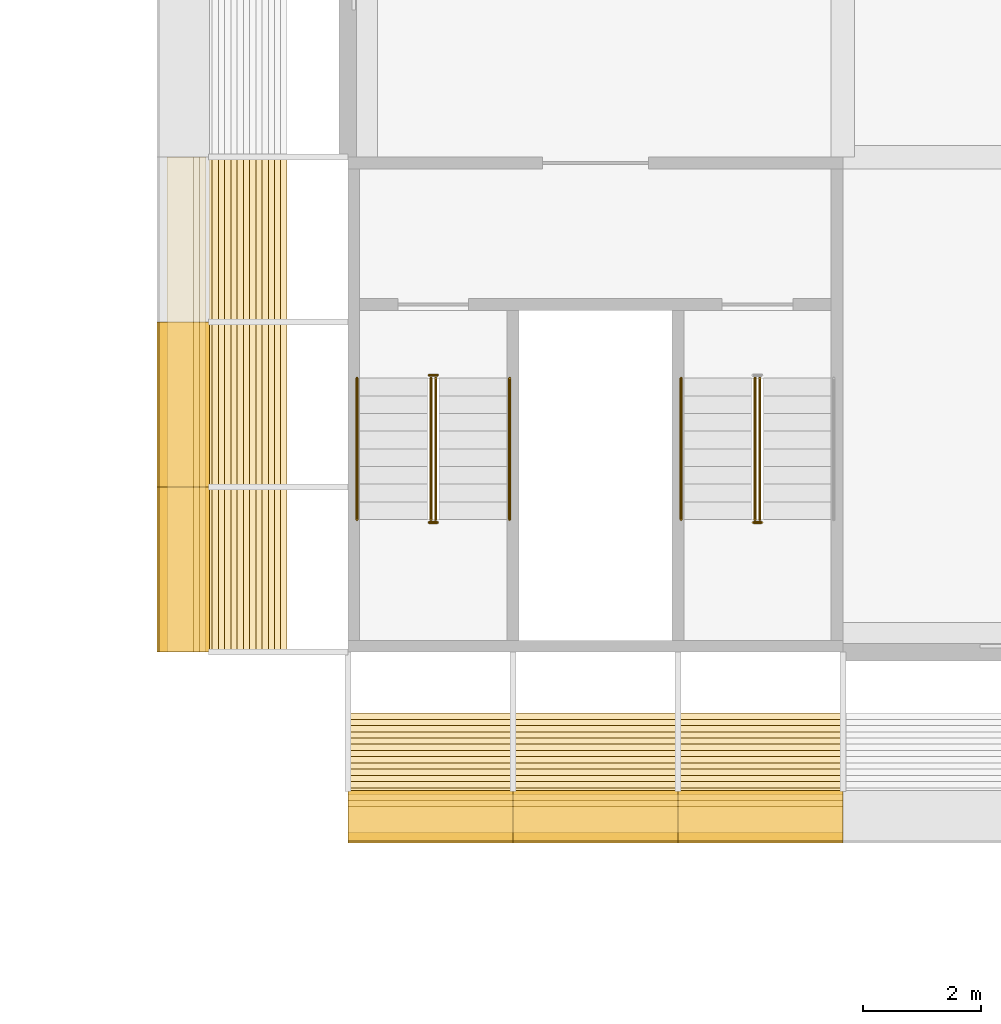
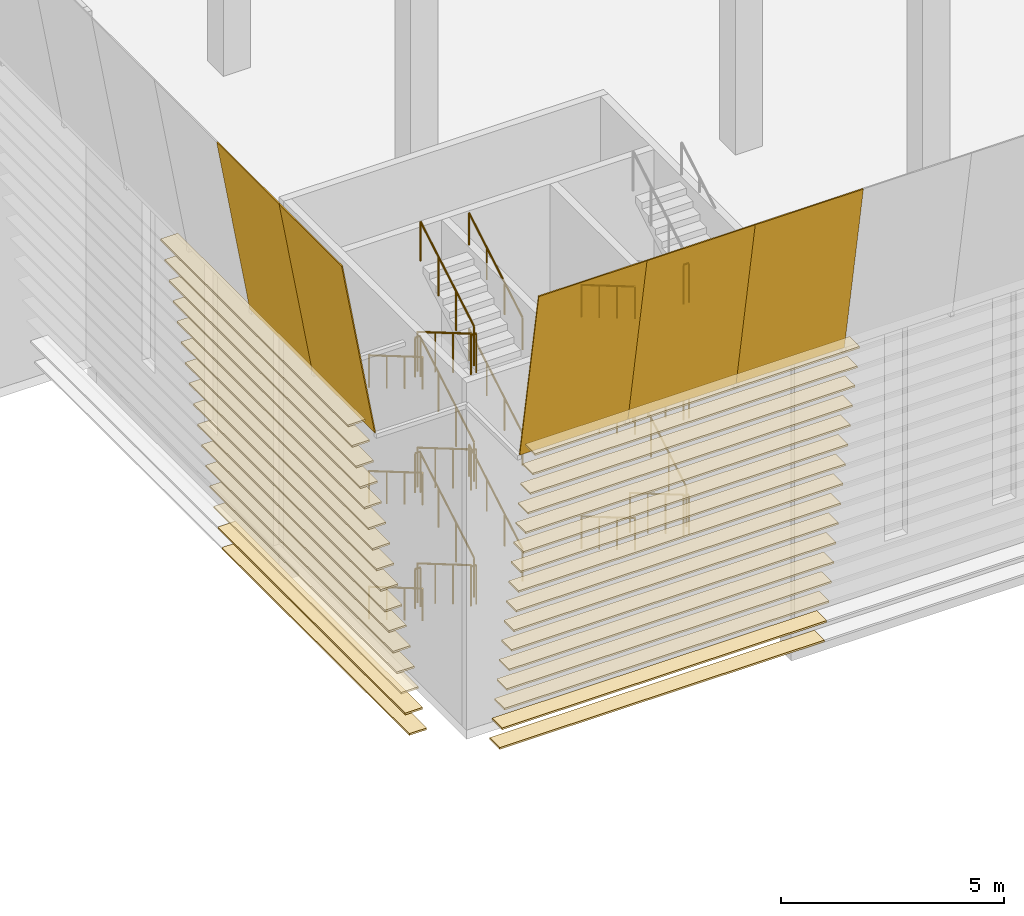
# One storey, part 92 of 114: 37 coverings, 27 railings.
"""IFC4 building model written with IfcOpenShell, lengths in metres."""

from ifc_helpers import new_model, si_unit, direction, frame, origin, origin_2d, place, context, subcontext, project, spatial, polyline, rectangle, circle, outline, extrude, material, layer, layer_set, material_profile, profile_set, type_object, element, save


model = new_model("IFC4")

# Units and contexts
model_context = context("Model", 3, precision=1e-05, world=origin(), true_north=direction((0.0, 1.0)))
body_context = subcontext(model_context, "Body", "Model", "MODEL_VIEW")
ifc_project = project(units=[si_unit("LENGTHUNIT", "METRE"), si_unit("AREAUNIT", "SQUARE_METRE"), si_unit("VOLUMEUNIT", "CUBIC_METRE"), si_unit("PLANEANGLEUNIT", "RADIAN"), si_unit("MASSUNIT", "GRAM", prefix="KILO")], contexts=[model_context])

# Site, building, storey
site_placement = place(None, origin())
site = spatial("IfcSite", under=ifc_project, at=site_placement, CompositionType="ELEMENT")
building_placement = place(site_placement, origin())
building = spatial("IfcBuilding", under=site, at=building_placement, Name="Almond Square Museum", CompositionType="ELEMENT")
storey_placement = place(building_placement, frame((0.0, 0.0, 10.5)))
storey = spatial("IfcBuildingStorey", under=building, at=storey_placement, Name="L02", CompositionType="ELEMENT", Elevation=10.5)

# Coverings
ifc_material_1 = material(Name="Cedar timber louvre board", Category="wood")
ifc_material_profile = material_profile(ifc_material_1, rectangle(XDim=0.449951171875, YDim=0.050048828125, at=origin_2d()))
ifc_profile_set = profile_set([ifc_material_profile], Name="Cedar timber louvre board")
covering_type_1 = type_object("IfcCoveringType", Name="Louvre board 450 x 50", PredefinedType="CLADDING", material=ifc_profile_set)
for number, where, z_axis, x_axis, name in (
    (1, (106.800048828125, 49.141357421875, 0.39990234375), (1.0, 0.0, 0.0), (0.0, 1.0, 0.0), "Louvre board S07.01"),
    (2, (106.800048828125, 49.03564453125, 1.0), (1.0, 0.0, 0.0), (0.0, 1.0, 0.0), "Louvre board S08.01"),
    (3, (106.800048828125, 48.9296875, 1.60009765625), (1.0, 0.0, 0.0), (0.0, 1.0, 0.0), "Louvre board S09.01"),
    (4, (106.800048828125, 48.823974609375, 2.199951171875), (1.0, 0.0, 0.0), (0.0, 1.0, 0.0), "Louvre board S10.01"),
    (5, (106.800048828125, 48.71826171875, 2.800048828125), (1.0, 0.0, 0.0), (0.0, 1.0, 0.0), "Louvre board S11.01"),
    (6, (106.800048828125, 48.6123046875, 3.39990234375), (1.0, 0.0, 0.0), (0.0, 1.0, 0.0), "Louvre board S12.01"),
    (7, (106.800048828125, 48.506591796875, 4.0), (1.0, 0.0, 0.0), (0.0, 1.0, 0.0), "Louvre board S13.01"),
    (8, (106.800048828125, 48.40087890625, 4.60009765625), (1.0, 0.0, 0.0), (0.0, 1.0, 0.0), "Louvre board S14.01"),
    (9, (106.800048828125, 48.294921875, 5.199951171875), (1.0, 0.0, 0.0), (0.0, 1.0, 0.0), "Louvre board S15.01"),
    (10, (106.800048828125, 48.189208984375, 5.800048828125), (1.0, 0.0, 0.0), (0.0, 1.0, 0.0), "Louvre board S16.01"),
    (11, (106.800048828125, 48.08349609375, 6.39990234375), (1.0, 0.0, 0.0), (0.0, 1.0, 0.0), "Louvre board S17.01"),
    (12, (106.800048828125, 47.9775390625, 7.0), (1.0, 0.0, 0.0), (0.0, 1.0, 0.0), "Louvre board S18.01"),
    (13, (106.800048828125, 47.871826171875, 7.60009765625), (1.0, 0.0, 0.0), (0.0, 1.0, 0.0), "Louvre board S19.01"),
    (14, (106.800048828125, 47.76611328125, 8.199951171875), (1.0, 0.0, 0.0), (0.0, 1.0, 0.0), "Louvre board S20.01"),
    (15, (106.800048828125, 47.66015625, 8.800048828125), (1.0, 0.0, 0.0), (0.0, 1.0, 0.0), "Louvre board S21.01"),
    (16, (106.800048828125, 47.554443359375, 9.39990234375), (1.0, 0.0, 0.0), (0.0, 1.0, 0.0), "Louvre board S22.01"),
):
    element("IfcCovering", number, at=place(storey_placement, frame(where, z_axis=z_axis, x_axis=x_axis)), inside=storey, type_object=covering_type_1, Name=name, PredefinedType="CLADDING", context=body_context, shape_type="SweptSolid", body=[
        extrude(rectangle(XDim=0.449951171875, YDim=0.050048828125, at=origin_2d()), origin(), (0.0, 0.0, 1.0), 8.39990234375),
    ])
for number, where, z_axis, x_axis, name in (
    (17, (105.54150390625, 50.39990234375, 0.39990234375), (0.0, 1.0, 0.0), (-1.0, 0.0, 0.0), "Louvre board W07.01"),
    (18, (105.435546875, 50.39990234375, 1.0), (0.0, 1.0, 0.0), (-1.0, 0.0, 0.0), "Louvre board W08.01"),
    (19, (105.329833984375, 50.39990234375, 1.60009765625), (0.0, 1.0, 0.0), (-1.0, 0.0, 0.0), "Louvre board W09.01"),
    (20, (105.223876953125, 50.39990234375, 2.199951171875), (0.0, 1.0, 0.0), (-1.0, 0.0, 0.0), "Louvre board W10.01"),
    (21, (105.1181640625, 50.39990234375, 2.800048828125), (0.0, 1.0, 0.0), (-1.0, 0.0, 0.0), "Louvre board W11.01"),
    (22, (105.012451171875, 50.39990234375, 3.39990234375), (0.0, 1.0, 0.0), (-1.0, 0.0, 0.0), "Louvre board W12.01"),
    (23, (104.906494140625, 50.39990234375, 4.0), (0.0, 1.0, 0.0), (-1.0, 0.0, 0.0), "Louvre board W13.01"),
    (24, (104.80078125, 50.39990234375, 4.60009765625), (0.0, 1.0, 0.0), (-1.0, 0.0, 0.0), "Louvre board W14.01"),
    (25, (104.695068359375, 50.39990234375, 5.199951171875), (0.0, 1.0, 0.0), (-1.0, 0.0, 0.0), "Louvre board W15.01"),
    (26, (104.589111328125, 50.39990234375, 5.800048828125), (0.0, 1.0, 0.0), (-1.0, 0.0, 0.0), "Louvre board W16.01"),
    (27, (104.4833984375, 50.39990234375, 6.39990234375), (0.0, 1.0, 0.0), (-1.0, 0.0, 0.0), "Louvre board W17.01"),
    (28, (104.377685546875, 50.39990234375, 7.0), (0.0, 1.0, 0.0), (-1.0, 0.0, 0.0), "Louvre board W18.01"),
    (29, (104.271728515625, 50.39990234375, 7.60009765625), (0.0, 1.0, 0.0), (-1.0, 0.0, 0.0), "Louvre board W19.01"),
    (30, (104.166015625, 50.39990234375, 8.199951171875), (0.0, 1.0, 0.0), (-1.0, 0.0, 0.0), "Louvre board W20.01"),
    (31, (104.060302734375, 50.39990234375, 8.800048828125), (0.0, 1.0, 0.0), (-1.0, 0.0, 0.0), "Louvre board W21.01"),
    (32, (103.954345703125, 50.39990234375, 9.39990234375), (0.0, 1.0, 0.0), (-1.0, 0.0, 0.0), "Louvre board W22.01"),
):
    element("IfcCovering", number, at=place(storey_placement, frame(where, z_axis=z_axis, x_axis=x_axis)), inside=storey, type_object=covering_type_1, Name=name, PredefinedType="CLADDING", context=body_context, shape_type="SweptSolid", body=[
        extrude(rectangle(XDim=0.449951171875, YDim=0.050048828125, at=origin_2d()), origin(), (0.0, 0.0, 1.0), 8.400146484375),
    ])
ifc_material_2 = material(Name="Cedar timber sheathing panel", Category="wood")
ifc_layer = layer(ifc_material_2, 0.030029296875)
ifc_layer_set = layer_set([ifc_layer], Name="Cedar timber sheathing panel")
covering_type_2 = type_object("IfcCoveringType", Name="Louvre rain-screen backing panel 30", PredefinedType="CLADDING", material=ifc_layer_set)
covering_1_placement = place(storey_placement, frame((106.800048828125, 48.035400390625, 8.969970703125), z_axis=(0.0, -0.984808947576, -0.173641402823), x_axis=(1.0, 0.0, 0.0)))
element("IfcCovering", 33, at=covering_1_placement, inside=storey, type_object=covering_type_2, Name="Louvre rain-screen backing panel S01.05", PredefinedType="CLADDING", context=body_context, shape_type="SweptSolid", body=[
    extrude(outline(polyline([(0.0, 0.0), (2.800048828125, 0.0), (2.800048828125, 4.935076426587713), (0.0, 4.935076426587713), (0.0, 0.0)])), frame((0.0, 0.0, -0.01513671875)), (0.0, 0.0, 1.0), 0.030029296875),
])
covering_2_placement = place(storey_placement, frame((109.60009765625, 48.035400390625, 8.969970703125), z_axis=(0.0, -0.984808947576, -0.173641402823), x_axis=(1.0, 0.0, 0.0)))
element("IfcCovering", 34, at=covering_2_placement, inside=storey, type_object=covering_type_2, Name="Louvre rain-screen backing panel S02.05", PredefinedType="CLADDING", context=body_context, shape_type="SweptSolid", body=[
    extrude(outline(polyline([(0.0, 0.0), (2.7998046875, 0.0), (2.7998046875, 4.935076426587713), (0.0, 4.935076426587713), (0.0, 0.0)])), frame((0.0, 0.0, -0.01513671875)), (0.0, 0.0, 1.0), 0.030029296875),
])
for number, where, z_axis, x_axis, name in (
    (35, (112.39990234375, 48.035400390625, 8.969970703125), (0.0, -0.984808947576, -0.173641402823), (1.0, 0.0, 0.0), "Louvre rain-screen backing panel S03.05"),
    (36, (104.435302734375, 50.39990234375, 8.969970703125), (0.984808947576, 0.0, 0.173641402823), (0.0, 1.0, 0.0), "Louvre rain-screen backing panel W01.05"),
    (37, (104.435302734375, 53.199951171875, 8.969970703125), (0.984808947576, 0.0, 0.173641402823), (0.0, 1.0, 0.0), "Louvre rain-screen backing panel W02.05"),
):
    element("IfcCovering", number, at=place(storey_placement, frame(where, z_axis=z_axis, x_axis=x_axis)), inside=storey, type_object=covering_type_2, Name=name, PredefinedType="CLADDING", context=body_context, shape_type="SweptSolid", body=[
        extrude(outline(polyline([(0.0, 0.0), (2.800048828125, 0.0), (2.800048828125, 4.935076426587713), (0.0, 4.935076426587713), (0.0, 0.0)])), frame((0.0, 0.0, -0.01513671875)), (0.0, 0.0, 1.0), 0.030029296875),
    ])

# Railings
ifc_material_3 = material(Name="Stainless steel and laminated glass", Category="steel")
railing_type_1 = type_object("IfcRailingType", Name="Stair guard 1100 steel and glass", PredefinedType="GUARDRAIL", material=ifc_material_3)
railing_1_placement = place(storey_placement, frame((108.2099609375, 55.050048828125, 0.176025390625)))
element("IfcRailing", 38, at=railing_1_placement, inside=storey, type_object=railing_type_1, Name="L02 ST-01 stair guard 1", PredefinedType="GUARDRAIL", context=body_context, shape_type="SweptSolid", body=[
    extrude(circle(Radius=0.02392578125, at=origin_2d()), frame((0.0, 0.0, 1.076171875), z_axis=(0.0, -0.862659684245, 0.505784805207), x_axis=(1.0, 0.0, 0.0)), (0.0, 0.0, 1.0), 2.7822265625),
    extrude(circle(Radius=0.02099609375, at=origin_2d()), origin(), (0.0, 0.0, 1.0), 1.052001953125),
    extrude(circle(Radius=0.02099609375, at=origin_2d()), frame((0.0, -0.800048828125, 0.468994140625)), (0.0, 0.0, 1.0), 1.052001953125),
    extrude(circle(Radius=0.02099609375, at=origin_2d()), frame((0.0, -1.60009765625, 0.938232421875)), (0.0, 0.0, 1.0), 1.052001953125),
    extrude(circle(Radius=0.02099609375, at=origin_2d()), frame((0.0, -2.400146484375, 1.4072265625)), (0.0, 0.0, 1.0), 1.052001953125),
])
railing_2_placement = place(storey_placement, frame((108.179931640625, 52.60009765625, 1.583251953125)))
element("IfcRailing", 39, at=railing_2_placement, inside=storey, type_object=railing_type_1, Name="L02 ST-01 stair guard 2", PredefinedType="GUARDRAIL", context=body_context, shape_type="SweptSolid", body=[
    extrude(circle(Radius=0.02392578125, at=origin_2d()), frame((0.0, 0.0, 1.076171875), z_axis=(1.0, 0.0, 0.0), x_axis=(0.0, 1.0, 0.0)), (0.0, 0.0, 1.0), 0.14013671875),
    extrude(circle(Radius=0.02099609375, at=origin_2d()), origin(), (0.0, 0.0, 1.0), 1.052001953125),
    extrude(circle(Radius=0.02099609375, at=origin_2d()), frame((0.14013671875, 0.0, 0.0)), (0.0, 0.0, 1.0), 1.052001953125),
])
railing_3_placement = place(storey_placement, frame((108.2900390625, 52.64990234375, 1.75927734375)))
element("IfcRailing", 40, at=railing_3_placement, inside=storey, type_object=railing_type_1, Name="L02 ST-01 stair guard 3", PredefinedType="GUARDRAIL", context=body_context, shape_type="SweptSolid", body=[
    extrude(circle(Radius=0.02392578125, at=origin_2d()), frame((0.0, 0.0, 1.076171875), z_axis=(0.0, 0.862621396848, 0.505850102007), x_axis=(-1.0, 0.0, 0.0)), (0.0, 0.0, 1.0), 2.782470703125),
    extrude(circle(Radius=0.02099609375, at=origin_2d()), origin(), (0.0, 0.0, 1.0), 1.052001953125),
    extrude(circle(Radius=0.02099609375, at=origin_2d()), frame((0.0, 0.800048828125, 0.46923828125)), (0.0, 0.0, 1.0), 1.052001953125),
    extrude(circle(Radius=0.02099609375, at=origin_2d()), frame((0.0, 1.60009765625, 0.938232421875)), (0.0, 0.0, 1.0), 1.052001953125),
    extrude(circle(Radius=0.02099609375, at=origin_2d()), frame((0.0, 2.400146484375, 1.407470703125)), (0.0, 0.0, 1.0), 1.052001953125),
])
railing_4_placement = place(storey_placement, frame((108.179931640625, 55.10009765625, 3.166748046875)))
element("IfcRailing", 41, at=railing_4_placement, inside=storey, type_object=railing_type_1, Name="L02 ST-01 stair guard 4", PredefinedType="GUARDRAIL", context=body_context, shape_type="SweptSolid", body=[
    extrude(circle(Radius=0.02392578125, at=origin_2d()), frame((0.0, 0.0, 1.076171875), z_axis=(1.0, 0.0, 0.0), x_axis=(0.0, 1.0, 0.0)), (0.0, 0.0, 1.0), 0.14013671875),
    extrude(circle(Radius=0.02099609375, at=origin_2d()), origin(), (0.0, 0.0, 1.0), 1.052001953125),
    extrude(circle(Radius=0.02099609375, at=origin_2d()), frame((0.14013671875, 0.0, 0.0)), (0.0, 0.0, 1.0), 1.052001953125),
])
railing_5_placement = place(storey_placement, frame((108.2099609375, 55.050048828125, 3.342529296875)))
element("IfcRailing", 42, at=railing_5_placement, inside=storey, type_object=railing_type_1, Name="L02 ST-01 stair guard 5", PredefinedType="GUARDRAIL", context=body_context, shape_type="SweptSolid", body=[
    extrude(circle(Radius=0.02392578125, at=origin_2d()), frame((0.0, 0.0, 1.076171875), z_axis=(0.0, -0.862621396848, 0.505850102007), x_axis=(1.0, 0.0, 0.0)), (0.0, 0.0, 1.0), 2.782470703125),
    extrude(circle(Radius=0.02099609375, at=origin_2d()), origin(), (0.0, 0.0, 1.0), 1.052001953125),
    extrude(circle(Radius=0.02099609375, at=origin_2d()), frame((0.0, -0.800048828125, 0.46923828125)), (0.0, 0.0, 1.0), 1.052001953125),
    extrude(circle(Radius=0.02099609375, at=origin_2d()), frame((0.0, -1.60009765625, 0.938232421875)), (0.0, 0.0, 1.0), 1.052001953125),
    extrude(circle(Radius=0.02099609375, at=origin_2d()), frame((0.0, -2.400146484375, 1.407470703125)), (0.0, 0.0, 1.0), 1.052001953125),
])
railing_6_placement = place(storey_placement, frame((108.179931640625, 52.60009765625, 4.75)))
element("IfcRailing", 43, at=railing_6_placement, inside=storey, type_object=railing_type_1, Name="L02 ST-01 stair guard 6", PredefinedType="GUARDRAIL", context=body_context, shape_type="SweptSolid", body=[
    extrude(circle(Radius=0.02392578125, at=origin_2d()), frame((0.0, 0.0, 1.076171875), z_axis=(1.0, 0.0, 0.0), x_axis=(0.0, 1.0, 0.0)), (0.0, 0.0, 1.0), 0.14013671875),
    extrude(circle(Radius=0.02099609375, at=origin_2d()), origin(), (0.0, 0.0, 1.0), 1.052001953125),
    extrude(circle(Radius=0.02099609375, at=origin_2d()), frame((0.14013671875, 0.0, 0.0)), (0.0, 0.0, 1.0), 1.052001953125),
])
railing_7_placement = place(storey_placement, frame((108.2900390625, 52.64990234375, 4.926025390625)))
element("IfcRailing", 44, at=railing_7_placement, inside=storey, type_object=railing_type_1, Name="L02 ST-01 stair guard 7", PredefinedType="GUARDRAIL", context=body_context, shape_type="SweptSolid", body=[
    extrude(circle(Radius=0.02392578125, at=origin_2d()), frame((0.0, 0.0, 1.076171875), z_axis=(0.0, 0.862659684245, 0.505784805207), x_axis=(-1.0, 0.0, 0.0)), (0.0, 0.0, 1.0), 2.7822265625),
    extrude(circle(Radius=0.02099609375, at=origin_2d()), origin(), (0.0, 0.0, 1.0), 1.052001953125),
    extrude(circle(Radius=0.02099609375, at=origin_2d()), frame((0.0, 0.800048828125, 0.468994140625)), (0.0, 0.0, 1.0), 1.052001953125),
    extrude(circle(Radius=0.02099609375, at=origin_2d()), frame((0.0, 1.60009765625, 0.938232421875)), (0.0, 0.0, 1.0), 1.052001953125),
    extrude(circle(Radius=0.02099609375, at=origin_2d()), frame((0.0, 2.400146484375, 1.4072265625)), (0.0, 0.0, 1.0), 1.052001953125),
])
railing_8_placement = place(storey_placement, frame((108.179931640625, 55.10009765625, 6.333251953125)))
element("IfcRailing", 45, at=railing_8_placement, inside=storey, type_object=railing_type_1, Name="L02 ST-01 stair guard 8", PredefinedType="GUARDRAIL", context=body_context, shape_type="SweptSolid", body=[
    extrude(circle(Radius=0.02392578125, at=origin_2d()), frame((0.0, 0.0, 1.076171875), z_axis=(1.0, 0.0, 0.0), x_axis=(0.0, 1.0, 0.0)), (0.0, 0.0, 1.0), 0.14013671875),
    extrude(circle(Radius=0.02099609375, at=origin_2d()), origin(), (0.0, 0.0, 1.0), 1.052001953125),
    extrude(circle(Radius=0.02099609375, at=origin_2d()), frame((0.14013671875, 0.0, 0.0)), (0.0, 0.0, 1.0), 1.052001953125),
])
railing_9_placement = place(storey_placement, frame((108.2099609375, 55.050048828125, 6.50927734375)))
element("IfcRailing", 46, at=railing_9_placement, inside=storey, type_object=railing_type_1, Name="L02 ST-01 stair guard 9", PredefinedType="GUARDRAIL", context=body_context, shape_type="SweptSolid", body=[
    extrude(circle(Radius=0.02392578125, at=origin_2d()), frame((0.0, 0.0, 1.076171875), z_axis=(0.0, -0.862621396848, 0.505850102007), x_axis=(1.0, 0.0, 0.0)), (0.0, 0.0, 1.0), 2.782470703125),
    extrude(circle(Radius=0.02099609375, at=origin_2d()), origin(), (0.0, 0.0, 1.0), 1.052001953125),
    extrude(circle(Radius=0.02099609375, at=origin_2d()), frame((0.0, -0.800048828125, 0.46923828125)), (0.0, 0.0, 1.0), 1.052001953125),
    extrude(circle(Radius=0.02099609375, at=origin_2d()), frame((0.0, -1.60009765625, 0.938232421875)), (0.0, 0.0, 1.0), 1.052001953125),
    extrude(circle(Radius=0.02099609375, at=origin_2d()), frame((0.0, -2.400146484375, 1.407470703125)), (0.0, 0.0, 1.0), 1.052001953125),
])
railing_10_placement = place(storey_placement, frame((108.179931640625, 52.60009765625, 7.916748046875)))
element("IfcRailing", 47, at=railing_10_placement, inside=storey, type_object=railing_type_1, Name="L02 ST-01 stair guard 10", PredefinedType="GUARDRAIL", context=body_context, shape_type="SweptSolid", body=[
    extrude(circle(Radius=0.02392578125, at=origin_2d()), frame((0.0, 0.0, 1.076171875), z_axis=(1.0, 0.0, 0.0), x_axis=(0.0, 1.0, 0.0)), (0.0, 0.0, 1.0), 0.14013671875),
    extrude(circle(Radius=0.02099609375, at=origin_2d()), origin(), (0.0, 0.0, 1.0), 1.052001953125),
    extrude(circle(Radius=0.02099609375, at=origin_2d()), frame((0.14013671875, 0.0, 0.0)), (0.0, 0.0, 1.0), 1.052001953125),
])
railing_11_placement = place(storey_placement, frame((108.2900390625, 52.64990234375, 8.092529296875)))
element("IfcRailing", 48, at=railing_11_placement, inside=storey, type_object=railing_type_1, Name="L02 ST-01 stair guard 11", PredefinedType="GUARDRAIL", context=body_context, shape_type="SweptSolid", body=[
    extrude(circle(Radius=0.02392578125, at=origin_2d()), frame((0.0, 0.0, 1.076171875), z_axis=(0.0, 0.862621396848, 0.505850102007), x_axis=(-1.0, 0.0, 0.0)), (0.0, 0.0, 1.0), 2.782470703125),
    extrude(circle(Radius=0.02099609375, at=origin_2d()), origin(), (0.0, 0.0, 1.0), 1.052001953125),
    extrude(circle(Radius=0.02099609375, at=origin_2d()), frame((0.0, 0.800048828125, 0.46923828125)), (0.0, 0.0, 1.0), 1.052001953125),
    extrude(circle(Radius=0.02099609375, at=origin_2d()), frame((0.0, 1.60009765625, 0.938232421875)), (0.0, 0.0, 1.0), 1.052001953125),
    extrude(circle(Radius=0.02099609375, at=origin_2d()), frame((0.0, 2.400146484375, 1.407470703125)), (0.0, 0.0, 1.0), 1.052001953125),
])
railing_12_placement = place(storey_placement, frame((108.179931640625, 55.10009765625, 0.0)))
element("IfcRailing", 49, at=railing_12_placement, inside=storey, type_object=railing_type_1, Name="L02 ST-01 stair guard 12", PredefinedType="GUARDRAIL", context=body_context, shape_type="SweptSolid", body=[
    extrude(circle(Radius=0.02392578125, at=origin_2d()), frame((0.0, 0.0, 1.076171875), z_axis=(1.0, 0.0, 0.0), x_axis=(0.0, 1.0, 0.0)), (0.0, 0.0, 1.0), 0.14013671875),
    extrude(circle(Radius=0.02099609375, at=origin_2d()), origin(), (0.0, 0.0, 1.0), 1.052001953125),
    extrude(circle(Radius=0.02099609375, at=origin_2d()), frame((0.14013671875, 0.0, 0.0)), (0.0, 0.0, 1.0), 1.052001953125),
])
railing_13_placement = place(storey_placement, frame((113.7099609375, 55.050048828125, 0.176025390625)))
element("IfcRailing", 50, at=railing_13_placement, inside=storey, type_object=railing_type_1, Name="L02 ST-02 stair guard 1", PredefinedType="GUARDRAIL", context=body_context, shape_type="SweptSolid", body=[
    extrude(circle(Radius=0.02392578125, at=origin_2d()), frame((0.0, 0.0, 1.076171875), z_axis=(0.0, -0.862659684245, 0.505784805207), x_axis=(1.0, 0.0, 0.0)), (0.0, 0.0, 1.0), 2.7822265625),
    extrude(circle(Radius=0.02099609375, at=origin_2d()), origin(), (0.0, 0.0, 1.0), 1.052001953125),
    extrude(circle(Radius=0.02099609375, at=origin_2d()), frame((0.0, -0.800048828125, 0.468994140625)), (0.0, 0.0, 1.0), 1.052001953125),
    extrude(circle(Radius=0.02099609375, at=origin_2d()), frame((0.0, -1.60009765625, 0.938232421875)), (0.0, 0.0, 1.0), 1.052001953125),
    extrude(circle(Radius=0.02099609375, at=origin_2d()), frame((0.0, -2.400146484375, 1.4072265625)), (0.0, 0.0, 1.0), 1.052001953125),
])
railing_14_placement = place(storey_placement, frame((113.679931640625, 52.60009765625, 1.583251953125)))
element("IfcRailing", 51, at=railing_14_placement, inside=storey, type_object=railing_type_1, Name="L02 ST-02 stair guard 2", PredefinedType="GUARDRAIL", context=body_context, shape_type="SweptSolid", body=[
    extrude(circle(Radius=0.02392578125, at=origin_2d()), frame((0.0, 0.0, 1.076171875), z_axis=(1.0, 0.0, 0.0), x_axis=(0.0, 1.0, 0.0)), (0.0, 0.0, 1.0), 0.14013671875),
    extrude(circle(Radius=0.02099609375, at=origin_2d()), origin(), (0.0, 0.0, 1.0), 1.052001953125),
    extrude(circle(Radius=0.02099609375, at=origin_2d()), frame((0.14013671875, 0.0, 0.0)), (0.0, 0.0, 1.0), 1.052001953125),
])
railing_15_placement = place(storey_placement, frame((113.7900390625, 52.64990234375, 1.75927734375)))
element("IfcRailing", 52, at=railing_15_placement, inside=storey, type_object=railing_type_1, Name="L02 ST-02 stair guard 3", PredefinedType="GUARDRAIL", context=body_context, shape_type="SweptSolid", body=[
    extrude(circle(Radius=0.02392578125, at=origin_2d()), frame((0.0, 0.0, 1.076171875), z_axis=(0.0, 0.862621396848, 0.505850102007), x_axis=(-1.0, 0.0, 0.0)), (0.0, 0.0, 1.0), 2.782470703125),
    extrude(circle(Radius=0.02099609375, at=origin_2d()), origin(), (0.0, 0.0, 1.0), 1.052001953125),
    extrude(circle(Radius=0.02099609375, at=origin_2d()), frame((0.0, 0.800048828125, 0.46923828125)), (0.0, 0.0, 1.0), 1.052001953125),
    extrude(circle(Radius=0.02099609375, at=origin_2d()), frame((0.0, 1.60009765625, 0.938232421875)), (0.0, 0.0, 1.0), 1.052001953125),
    extrude(circle(Radius=0.02099609375, at=origin_2d()), frame((0.0, 2.400146484375, 1.407470703125)), (0.0, 0.0, 1.0), 1.052001953125),
])
railing_16_placement = place(storey_placement, frame((113.7099609375, 55.050048828125, 3.342529296875)))
element("IfcRailing", 53, at=railing_16_placement, inside=storey, type_object=railing_type_1, Name="L02 ST-02 stair guard 5", PredefinedType="GUARDRAIL", context=body_context, shape_type="SweptSolid", body=[
    extrude(circle(Radius=0.02392578125, at=origin_2d()), frame((0.0, 0.0, 1.076171875), z_axis=(0.0, -0.862621396848, 0.505850102007), x_axis=(1.0, 0.0, 0.0)), (0.0, 0.0, 1.0), 2.782470703125),
    extrude(circle(Radius=0.02099609375, at=origin_2d()), origin(), (0.0, 0.0, 1.0), 1.052001953125),
    extrude(circle(Radius=0.02099609375, at=origin_2d()), frame((0.0, -0.800048828125, 0.46923828125)), (0.0, 0.0, 1.0), 1.052001953125),
    extrude(circle(Radius=0.02099609375, at=origin_2d()), frame((0.0, -1.60009765625, 0.938232421875)), (0.0, 0.0, 1.0), 1.052001953125),
    extrude(circle(Radius=0.02099609375, at=origin_2d()), frame((0.0, -2.400146484375, 1.407470703125)), (0.0, 0.0, 1.0), 1.052001953125),
])
for number, where, name in (
    (54, (113.679931640625, 52.60009765625, 4.75), "L02 ST-02 stair guard 6"),
    (55, (113.679931640625, 52.60009765625, 7.916748046875), "L02 ST-02 stair guard 10"),
):
    element("IfcRailing", number, at=place(storey_placement, frame(where)), inside=storey, type_object=railing_type_1, Name=name, PredefinedType="GUARDRAIL", context=body_context, shape_type="SweptSolid", body=[
        extrude(circle(Radius=0.02392578125, at=origin_2d()), frame((0.0, 0.0, 1.076171875), z_axis=(1.0, 0.0, 0.0), x_axis=(0.0, 1.0, 0.0)), (0.0, 0.0, 1.0), 0.14013671875),
        extrude(circle(Radius=0.02099609375, at=origin_2d()), origin(), (0.0, 0.0, 1.0), 1.052001953125),
        extrude(circle(Radius=0.02099609375, at=origin_2d()), frame((0.14013671875, 0.0, 0.0)), (0.0, 0.0, 1.0), 1.052001953125),
    ])
ifc_material_4 = material(Name="Stainless steel", Category="steel")
railing_type_2 = type_object("IfcRailingType", Name="Stair handrail 900 steel", PredefinedType="HANDRAIL", material=ifc_material_4)
railing_17_placement = place(storey_placement, frame((106.955078125, 55.050048828125, 0.176025390625)))
element("IfcRailing", 56, at=railing_17_placement, inside=storey, type_object=railing_type_2, Name="L02 ST-01 stair handrail 1", PredefinedType="HANDRAIL", context=body_context, shape_type="SweptSolid", body=[
    extrude(circle(Radius=0.02392578125, at=origin_2d()), frame((0.0, 0.0, 0.8759765625), z_axis=(0.0, -0.862659684245, 0.505784805207), x_axis=(1.0, 0.0, 0.0)), (0.0, 0.0, 1.0), 2.7822265625),
    extrude(circle(Radius=0.02099609375, at=origin_2d()), origin(), (0.0, 0.0, 1.0), 0.851806640625),
    extrude(circle(Radius=0.02099609375, at=origin_2d()), frame((0.0, -0.800048828125, 0.468994140625)), (0.0, 0.0, 1.0), 0.851806640625),
    extrude(circle(Radius=0.02099609375, at=origin_2d()), frame((0.0, -1.60009765625, 0.938232421875)), (0.0, 0.0, 1.0), 0.851806640625),
    extrude(circle(Radius=0.02099609375, at=origin_2d()), frame((0.0, -2.400146484375, 1.4072265625)), (0.0, 0.0, 1.0), 0.851806640625),
])
railing_18_placement = place(storey_placement, frame((109.544921875, 52.64990234375, 1.75927734375)))
element("IfcRailing", 57, at=railing_18_placement, inside=storey, type_object=railing_type_2, Name="L02 ST-01 stair handrail 2", PredefinedType="HANDRAIL", context=body_context, shape_type="SweptSolid", body=[
    extrude(circle(Radius=0.02392578125, at=origin_2d()), frame((0.0, 0.0, 0.8759765625), z_axis=(0.0, 0.862621396848, 0.505850102007), x_axis=(-1.0, 0.0, 0.0)), (0.0, 0.0, 1.0), 2.782470703125),
    extrude(circle(Radius=0.02099609375, at=origin_2d()), origin(), (0.0, 0.0, 1.0), 0.851806640625),
    extrude(circle(Radius=0.02099609375, at=origin_2d()), frame((0.0, 0.800048828125, 0.46923828125)), (0.0, 0.0, 1.0), 0.851806640625),
    extrude(circle(Radius=0.02099609375, at=origin_2d()), frame((0.0, 1.60009765625, 0.938232421875)), (0.0, 0.0, 1.0), 0.851806640625),
    extrude(circle(Radius=0.02099609375, at=origin_2d()), frame((0.0, 2.400146484375, 1.407470703125)), (0.0, 0.0, 1.0), 0.851806640625),
])
railing_19_placement = place(storey_placement, frame((106.955078125, 55.050048828125, 3.342529296875)))
element("IfcRailing", 58, at=railing_19_placement, inside=storey, type_object=railing_type_2, Name="L02 ST-01 stair handrail 3", PredefinedType="HANDRAIL", context=body_context, shape_type="SweptSolid", body=[
    extrude(circle(Radius=0.02392578125, at=origin_2d()), frame((0.0, 0.0, 0.8759765625), z_axis=(0.0, -0.862621396848, 0.505850102007), x_axis=(1.0, 0.0, 0.0)), (0.0, 0.0, 1.0), 2.782470703125),
    extrude(circle(Radius=0.02099609375, at=origin_2d()), origin(), (0.0, 0.0, 1.0), 0.851806640625),
    extrude(circle(Radius=0.02099609375, at=origin_2d()), frame((0.0, -0.800048828125, 0.46923828125)), (0.0, 0.0, 1.0), 0.851806640625),
    extrude(circle(Radius=0.02099609375, at=origin_2d()), frame((0.0, -1.60009765625, 0.938232421875)), (0.0, 0.0, 1.0), 0.851806640625),
    extrude(circle(Radius=0.02099609375, at=origin_2d()), frame((0.0, -2.400146484375, 1.407470703125)), (0.0, 0.0, 1.0), 0.851806640625),
])
railing_20_placement = place(storey_placement, frame((109.544921875, 52.64990234375, 4.926025390625)))
element("IfcRailing", 59, at=railing_20_placement, inside=storey, type_object=railing_type_2, Name="L02 ST-01 stair handrail 4", PredefinedType="HANDRAIL", context=body_context, shape_type="SweptSolid", body=[
    extrude(circle(Radius=0.02392578125, at=origin_2d()), frame((0.0, 0.0, 0.8759765625), z_axis=(0.0, 0.862659684245, 0.505784805207), x_axis=(-1.0, 0.0, 0.0)), (0.0, 0.0, 1.0), 2.7822265625),
    extrude(circle(Radius=0.02099609375, at=origin_2d()), origin(), (0.0, 0.0, 1.0), 0.851806640625),
    extrude(circle(Radius=0.02099609375, at=origin_2d()), frame((0.0, 0.800048828125, 0.468994140625)), (0.0, 0.0, 1.0), 0.851806640625),
    extrude(circle(Radius=0.02099609375, at=origin_2d()), frame((0.0, 1.60009765625, 0.938232421875)), (0.0, 0.0, 1.0), 0.851806640625),
    extrude(circle(Radius=0.02099609375, at=origin_2d()), frame((0.0, 2.400146484375, 1.4072265625)), (0.0, 0.0, 1.0), 0.851806640625),
])
railing_21_placement = place(storey_placement, frame((106.955078125, 55.050048828125, 6.50927734375)))
element("IfcRailing", 60, at=railing_21_placement, inside=storey, type_object=railing_type_2, Name="L02 ST-01 stair handrail 5", PredefinedType="HANDRAIL", context=body_context, shape_type="SweptSolid", body=[
    extrude(circle(Radius=0.02392578125, at=origin_2d()), frame((0.0, 0.0, 0.8759765625), z_axis=(0.0, -0.862621396848, 0.505850102007), x_axis=(1.0, 0.0, 0.0)), (0.0, 0.0, 1.0), 2.782470703125),
    extrude(circle(Radius=0.02099609375, at=origin_2d()), origin(), (0.0, 0.0, 1.0), 0.851806640625),
    extrude(circle(Radius=0.02099609375, at=origin_2d()), frame((0.0, -0.800048828125, 0.46923828125)), (0.0, 0.0, 1.0), 0.851806640625),
    extrude(circle(Radius=0.02099609375, at=origin_2d()), frame((0.0, -1.60009765625, 0.938232421875)), (0.0, 0.0, 1.0), 0.851806640625),
    extrude(circle(Radius=0.02099609375, at=origin_2d()), frame((0.0, -2.400146484375, 1.407470703125)), (0.0, 0.0, 1.0), 0.851806640625),
])
railing_22_placement = place(storey_placement, frame((109.544921875, 52.64990234375, 8.092529296875)))
element("IfcRailing", 61, at=railing_22_placement, inside=storey, type_object=railing_type_2, Name="L02 ST-01 stair handrail 6", PredefinedType="HANDRAIL", context=body_context, shape_type="SweptSolid", body=[
    extrude(circle(Radius=0.02392578125, at=origin_2d()), frame((0.0, 0.0, 0.8759765625), z_axis=(0.0, 0.862621396848, 0.505850102007), x_axis=(-1.0, 0.0, 0.0)), (0.0, 0.0, 1.0), 2.782470703125),
    extrude(circle(Radius=0.02099609375, at=origin_2d()), origin(), (0.0, 0.0, 1.0), 0.851806640625),
    extrude(circle(Radius=0.02099609375, at=origin_2d()), frame((0.0, 0.800048828125, 0.46923828125)), (0.0, 0.0, 1.0), 0.851806640625),
    extrude(circle(Radius=0.02099609375, at=origin_2d()), frame((0.0, 1.60009765625, 0.938232421875)), (0.0, 0.0, 1.0), 0.851806640625),
    extrude(circle(Radius=0.02099609375, at=origin_2d()), frame((0.0, 2.400146484375, 1.407470703125)), (0.0, 0.0, 1.0), 0.851806640625),
])
railing_23_placement = place(storey_placement, frame((112.455078125, 55.050048828125, 0.176025390625)))
element("IfcRailing", 62, at=railing_23_placement, inside=storey, type_object=railing_type_2, Name="L02 ST-02 stair handrail 1", PredefinedType="HANDRAIL", context=body_context, shape_type="SweptSolid", body=[
    extrude(circle(Radius=0.02392578125, at=origin_2d()), frame((0.0, 0.0, 0.8759765625), z_axis=(0.0, -0.862659684245, 0.505784805207), x_axis=(1.0, 0.0, 0.0)), (0.0, 0.0, 1.0), 2.7822265625),
    extrude(circle(Radius=0.02099609375, at=origin_2d()), origin(), (0.0, 0.0, 1.0), 0.851806640625),
    extrude(circle(Radius=0.02099609375, at=origin_2d()), frame((0.0, -0.800048828125, 0.468994140625)), (0.0, 0.0, 1.0), 0.851806640625),
    extrude(circle(Radius=0.02099609375, at=origin_2d()), frame((0.0, -1.60009765625, 0.938232421875)), (0.0, 0.0, 1.0), 0.851806640625),
    extrude(circle(Radius=0.02099609375, at=origin_2d()), frame((0.0, -2.400146484375, 1.4072265625)), (0.0, 0.0, 1.0), 0.851806640625),
])
for number, where, name in (
    (63, (112.455078125, 55.050048828125, 3.342529296875), "L02 ST-02 stair handrail 3"),
    (64, (112.455078125, 55.050048828125, 6.50927734375), "L02 ST-02 stair handrail 5"),
):
    element("IfcRailing", number, at=place(storey_placement, frame(where)), inside=storey, type_object=railing_type_2, Name=name, PredefinedType="HANDRAIL", context=body_context, shape_type="SweptSolid", body=[
        extrude(circle(Radius=0.02392578125, at=origin_2d()), frame((0.0, 0.0, 0.8759765625), z_axis=(0.0, -0.862621396848, 0.505850102007), x_axis=(1.0, 0.0, 0.0)), (0.0, 0.0, 1.0), 2.782470703125),
        extrude(circle(Radius=0.02099609375, at=origin_2d()), origin(), (0.0, 0.0, 1.0), 0.851806640625),
        extrude(circle(Radius=0.02099609375, at=origin_2d()), frame((0.0, -0.800048828125, 0.46923828125)), (0.0, 0.0, 1.0), 0.851806640625),
        extrude(circle(Radius=0.02099609375, at=origin_2d()), frame((0.0, -1.60009765625, 0.938232421875)), (0.0, 0.0, 1.0), 0.851806640625),
        extrude(circle(Radius=0.02099609375, at=origin_2d()), frame((0.0, -2.400146484375, 1.407470703125)), (0.0, 0.0, 1.0), 0.851806640625),
    ])

save(model, "model.ifc")
